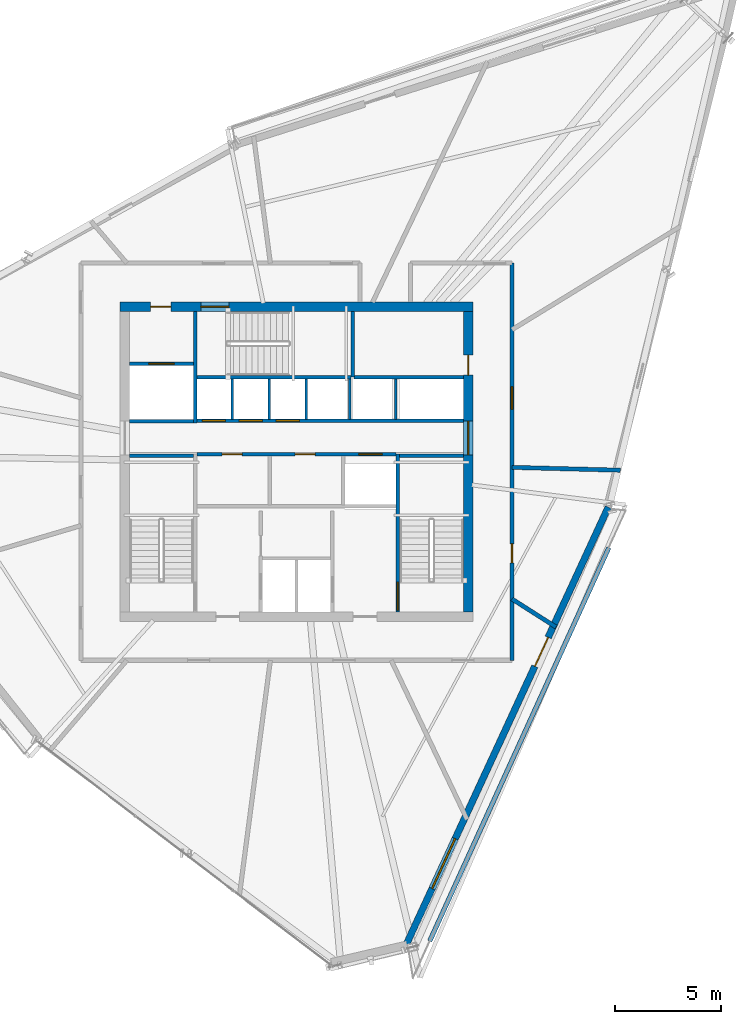
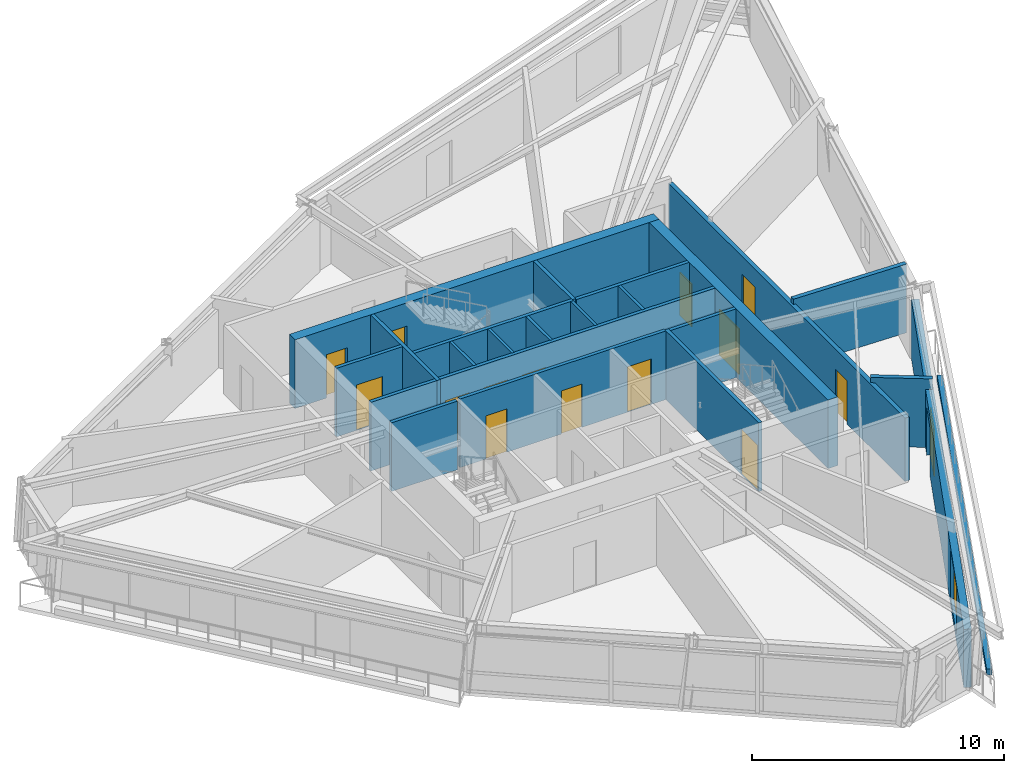
# One storey, part 9 of 13: 23 walls, 15 doors, 1 window, 16 openings.
"""IFC4 building model written with IfcOpenShell, lengths in metres."""

from ifc_helpers import new_model, si_unit, direction, frame, frame_2d, origin, place, context, subcontext, project, spatial, rectangle, extrude, source, transform, mapped, material, layer, layer_set, type_object, type_shapes, element, fill, save


model = new_model("IFC4")

# Units and contexts
model_context = context("Model", 3, precision=1e-05, world=origin(), true_north=direction((0.0, 1.0)))
body_context = subcontext(model_context, "Body", "Model", "MODEL_VIEW")
ifc_project = project(units=[si_unit("LENGTHUNIT", "METRE"), si_unit("AREAUNIT", "SQUARE_METRE"), si_unit("VOLUMEUNIT", "CUBIC_METRE"), si_unit("PLANEANGLEUNIT", "RADIAN"), si_unit("MASSUNIT", "GRAM", prefix="KILO")], contexts=[model_context])

# Site, building, storey
site_placement = place(None, origin())
site = spatial("IfcSite", under=ifc_project, at=site_placement, CompositionType="ELEMENT")
building_placement = place(site_placement, origin())
building = spatial("IfcBuilding", under=site, at=building_placement, Name="Olszyna Solenne Hotel", CompositionType="ELEMENT")
storey_placement = place(building_placement, frame((0.0, 0.0, 227.35009765625)))
storey = spatial("IfcBuildingStorey", under=building, at=storey_placement, Name="L60", CompositionType="ELEMENT", Elevation=227.35009765625)

# Wall, openings, doors
ifc_material_1 = material(Name="Concrete C50/60", Category="concrete")
ifc_layer_1 = layer(ifc_material_1, 0.449951171875, Name="Concrete C50/60")
ifc_layer_set_1 = layer_set([ifc_layer_1], Name="Concrete C50/60")
wall_type_1 = type_object("IfcWallType", Name="WL-CR450", PredefinedType="SHEAR", material=ifc_layer_set_1)
wall_1_placement = place(storey_placement, frame((29.64990234375, 33.925048828125, 0.0), z_axis=(0.0, 0.0, 1.0), x_axis=(1.0, 0.0, 0.0)))
wall_1 = element("IfcWall", 1, at=wall_1_placement, inside=storey, type_object=wall_type_1, Name="Core shear wall WL-CR450 CRW-L60-N", PredefinedType="SHEAR", context=body_context, shape_type="SweptSolid", body=[
    extrude(rectangle(XDim=16.7001953125, YDim=0.449951171875, at=frame_2d((8.35009765625, 0.0))), origin(), (0.0, 0.0, 1.0), 3.329833984375),
])
opening_1_placement = place(wall_1_placement, frame((1.449951171875, 0.0, 0.0)))
opening_1 = element("IfcOpeningElement", 2, at=opening_1_placement, cuts=wall_1, Name="Opening SVD-L60-01", PredefinedType="OPENING", context=body_context, shape_type="SweptSolid", body=[
    extrude(rectangle(XDim=0.949951171875, YDim=2.10009765625, at=frame_2d((0.47509765625, 1.050048828125))), frame((0.0, 0.23486328125, 0.0), z_axis=(0.0, -1.0, 0.0), x_axis=(1.0, 0.0, 0.0)), (0.0, 0.0, 1.0), 0.469970703125),
])
opening_2_placement = place(wall_1_placement, frame((3.830078125, 0.0, 0.0)))
opening_2 = element("IfcOpeningElement", 3, at=opening_2_placement, cuts=wall_1, Name="Opening STD-L60-03", PredefinedType="OPENING", context=body_context, shape_type="SweptSolid", body=[
    extrude(rectangle(XDim=1.320068359375, YDim=2.199951171875, at=frame_2d((0.66015625, 1.10009765625))), frame((0.0, 0.23486328125, 0.0), z_axis=(0.0, -1.0, 0.0), x_axis=(1.0, 0.0, 0.0)), (0.0, 0.0, 1.0), 0.469970703125),
])
ifc_material_2 = material(Name="Steel S355J2", Category="steel")
door_type_1 = type_object("IfcDoorType", Name="DR-ST1", OperationType="NOTDEFINED", PredefinedType="DOOR", material=ifc_material_2)
shared_shape_1 = source(origin(), body_context, "Body", "SweptSolid", [
    extrude(rectangle(XDim=1.320068359375, YDim=2.199951171875, at=frame_2d((0.66015625, 1.10009765625))), frame((0.0, 0.02490234375, 0.0), z_axis=(0.0, -1.0, 0.0), x_axis=(1.0, 0.0, 0.0)), (0.0, 0.0, 1.0), 0.050048828125),
])
type_shapes(door_type_1, [shared_shape_1])
door_1_placement = place(opening_2_placement, origin())
door_1 = element("IfcDoor", 4, at=door_1_placement, inside=storey, type_object=door_type_1, Name="Pressurised exit stair ST3 fire door STD-L60-03", OperationType="SINGLE_SWING_RIGHT", OverallHeight=2.199951171875, OverallWidth=1.320068359375, PredefinedType="DOOR", context=body_context, shape_type="MappedRepresentation", body=[
    mapped(shared_shape_1, transform((0.0, 0.0, 0.0), x_axis=(1.0, 0.0, 0.0), y_axis=(0.0, 1.0, 0.0), z_axis=(0.0, 0.0, 1.0), scale=1.0)),
])
fill(opening_2, door_1)
door_type_2 = type_object("IfcDoorType", Name="DR-SV1", OperationType="NOTDEFINED", PredefinedType="DOOR", material=ifc_material_2)
shared_shape_2 = source(origin(), body_context, "Body", "SweptSolid", [
    extrude(rectangle(XDim=0.949951171875, YDim=2.10009765625, at=frame_2d((0.47509765625, 1.050048828125))), frame((0.0, 0.02490234375, 0.0), z_axis=(0.0, -1.0, 0.0), x_axis=(1.0, 0.0, 0.0)), (0.0, 0.0, 1.0), 0.050048828125),
])
type_shapes(door_type_2, [shared_shape_2])
door_2_placement = place(opening_1_placement, origin())
door_2 = element("IfcDoor", 5, at=door_2_placement, inside=storey, type_object=door_type_2, Name="Service lift lobby fire door SVD-L60-01", OperationType="SINGLE_SWING_LEFT", OverallHeight=2.10009765625, OverallWidth=0.949951171875, PredefinedType="DOOR", context=body_context, shape_type="MappedRepresentation", body=[
    mapped(shared_shape_2, transform((0.0, 0.0, 0.0), x_axis=(1.0, 0.0, 0.0), y_axis=(0.0, 1.0, 0.0), z_axis=(0.0, 0.0, 1.0), scale=1.0)),
])
fill(opening_1, door_2)

wall_2_placement = place(storey_placement, frame((46.125, 33.699951171875, 0.0), z_axis=(0.0, 0.0, 1.0), x_axis=(0.0, -1.0, 0.0)))
wall_2 = element("IfcWall", 6, at=wall_2_placement, inside=storey, type_object=wall_type_1, Name="Core shear wall WL-CR450 CRW-L60-E", PredefinedType="SHEAR", context=body_context, shape_type="SweptSolid", body=[
    extrude(rectangle(XDim=14.199951171875, YDim=0.449951171875, at=frame_2d((7.10009765625, 0.0))), origin(), (0.0, 0.0, 1.0), 3.329833984375),
])
opening_3_placement = place(wall_2_placement, frame((5.179931640625, 0.0, 0.0)))
opening_3 = element("IfcOpeningElement", 7, at=opening_3_placement, cuts=wall_2, Name="Opening LHD-L60-E", PredefinedType="OPENING", context=body_context, shape_type="SweptSolid", body=[
    extrude(rectangle(XDim=1.60009765625, YDim=2.199951171875, at=frame_2d((0.800048828125, 1.10009765625))), frame((0.0, 0.23486328125, 0.0), z_axis=(0.0, -1.0, 0.0), x_axis=(1.0, 0.0, 0.0)), (0.0, 0.0, 1.0), 0.469970703125),
])
opening_4_placement = place(wall_2_placement, frame((2.050048828125, 0.0, 0.0)))
opening_4 = element("IfcOpeningElement", 8, at=opening_4_placement, cuts=wall_2, Name="Opening SVD-L60-BE", PredefinedType="OPENING", context=body_context, shape_type="SweptSolid", body=[
    extrude(rectangle(XDim=0.949951171875, YDim=2.10009765625, at=frame_2d((0.47509765625, 1.050048828125))), frame((0.0, 0.23486328125, 0.0), z_axis=(0.0, -1.0, 0.0), x_axis=(1.0, 0.0, 0.0)), (0.0, 0.0, 1.0), 0.469970703125),
])
door_3_placement = place(opening_4_placement, origin())
door_3 = element("IfcDoor", 9, at=door_3_placement, inside=storey, type_object=door_type_2, Name="Housekeeping core fire door SVD-L60-BE", OperationType="SINGLE_SWING_RIGHT", OverallHeight=2.10009765625, OverallWidth=0.949951171875, PredefinedType="DOOR", context=body_context, shape_type="MappedRepresentation", body=[
    mapped(shared_shape_2, transform((0.0, 0.0, 0.0), x_axis=(1.0, 0.0, 0.0), y_axis=(0.0, 1.0, 0.0), z_axis=(0.0, 0.0, 1.0), scale=1.0)),
])
fill(opening_4, door_3)
ifc_material_3 = material(Name="Timber hardwood", Category="wood")
door_type_3 = type_object("IfcDoorType", Name="DR-CR1", OperationType="DOUBLE_DOOR_SINGLE_SWING", PredefinedType="DOOR", material=ifc_material_3)
shared_shape_3 = source(origin(), body_context, "Body", "SweptSolid", [
    extrude(rectangle(XDim=1.60009765625, YDim=2.199951171875, at=frame_2d((0.800048828125, 1.10009765625))), frame((0.0, 0.02490234375, 0.0), z_axis=(0.0, -1.0, 0.0), x_axis=(1.0, 0.0, 0.0)), (0.0, 0.0, 1.0), 0.050048828125),
])
type_shapes(door_type_3, [shared_shape_3])
door_4_placement = place(opening_3_placement, origin())
door_4 = element("IfcDoor", 10, at=door_4_placement, inside=storey, type_object=door_type_3, Name="Passenger lift lobby East fire door LHD-L60-E", OperationType="DOUBLE_DOOR_SINGLE_SWING", OverallHeight=2.199951171875, OverallWidth=1.60009765625, PredefinedType="DOOR", context=body_context, shape_type="MappedRepresentation", body=[
    mapped(shared_shape_3, transform((0.0, 0.0, 0.0), x_axis=(1.0, 0.0, 0.0), y_axis=(0.0, 1.0, 0.0), z_axis=(0.0, 0.0, 1.0), scale=1.0)),
])
fill(opening_3, door_4)

# Wall, openings, door, window
ifc_material_4 = material(Name="Precast concrete C45/55", Category="concrete")
ifc_layer_2 = layer(ifc_material_4, 0.320068359375, Name="Precast concrete C45/55")
ifc_layer_set_2 = layer_set([ifc_layer_2], Name="Precast concrete C45/55")
wall_type_2 = type_object("IfcWallType", Name="WL-EX320", PredefinedType="SOLIDWALL", material=ifc_layer_set_2)
wall_3_placement = place(storey_placement, frame((52.760009765625, 24.45068359375, 0.0), z_axis=(0.0, 0.0, 1.0), x_axis=(-0.419378553641, -0.907811449997, 0.0)))
wall_3 = element("IfcWall", 11, at=wall_3_placement, inside=storey, type_object=wall_type_2, Name="Exterior terracotta-precast frame wall WL-EX320 EW-L60-01", PredefinedType="SOLIDWALL", context=body_context, shape_type="SweptSolid", body=[
    extrude(rectangle(XDim=22.952392578125, YDim=0.320068359375, at=frame_2d((11.47607421875, 0.0))), origin(), (0.0, 0.0, 1.0), 2.822021484375),
])
opening_5_placement = place(wall_3_placement, frame((6.794921875, 0.0, 0.0)))
opening_5 = element("IfcOpeningElement", 12, at=opening_5_placement, cuts=wall_3, Name="Opening LDG-L60-3", PredefinedType="OPENING", context=body_context, shape_type="SweptSolid", body=[
    extrude(rectangle(XDim=1.5, YDim=2.300048828125, at=frame_2d((0.75, 1.14990234375))), frame((0.0, 0.169921875, 0.0), z_axis=(0.0, -1.0, 0.0), x_axis=(1.0, 0.0, 0.0)), (0.0, 0.0, 1.0), 0.340087890625),
])
opening_6_placement = place(wall_3_placement, frame((17.284912109375, 0.0, 0.35205078125)))
opening_6 = element("IfcOpeningElement", 13, at=opening_6_placement, cuts=wall_3, Name="Opening WN-L60-388", PredefinedType="OPENING", context=body_context, shape_type="SweptSolid", body=[
    extrude(rectangle(XDim=2.60009765625, YDim=2.35009765625, at=frame_2d((1.300048828125, 1.175048828125))), frame((0.0, 0.169921875, 0.0), z_axis=(0.0, -1.0, 0.0), x_axis=(1.0, 0.0, 0.0)), (0.0, 0.0, 1.0), 0.340087890625),
])
ifc_material_5 = material(Name="Anodised bronze aluminium", Category="aluminium")
door_type_4 = type_object("IfcDoorType", Name="DR-LG2", OperationType="DOUBLE_DOOR_SINGLE_SWING", PredefinedType="DOOR", material=ifc_material_5)
shared_shape_4 = source(origin(), body_context, "Body", "SweptSolid", [
    extrude(rectangle(XDim=1.5, YDim=2.300048828125, at=frame_2d((0.75, 1.14990234375))), frame((0.0, 0.02490234375, 0.0), z_axis=(0.0, -1.0, 0.0), x_axis=(1.0, 0.0, 0.0)), (0.0, 0.0, 1.0), 0.050048828125),
])
type_shapes(door_type_4, [shared_shape_4])
door_5_placement = place(opening_5_placement, origin())
door_5 = element("IfcDoor", 14, at=door_5_placement, inside=storey, type_object=door_type_4, Name="Exterior loggia balcony door DR-LG2 LDG-L60-3", OperationType="DOUBLE_DOOR_SINGLE_SWING", OverallHeight=2.300048828125, OverallWidth=1.5, PredefinedType="DOOR", context=body_context, shape_type="MappedRepresentation", body=[
    mapped(shared_shape_4, transform((0.0, 0.0, 0.0), x_axis=(1.0, 0.0, 0.0), y_axis=(0.0, 1.0, 0.0), z_axis=(0.0, 0.0, 1.0), scale=1.0)),
])
fill(opening_5, door_5)
ifc_material_6 = material(Name="Low-E triple glazing", Category="glass")
window_type = type_object("IfcWindowType", Name="WN-ST1", PartitioningType="SINGLE_PANEL", PredefinedType="WINDOW", material=ifc_material_6)
shared_shape_5 = source(origin(), body_context, "Body", "SweptSolid", [
    extrude(rectangle(XDim=2.60009765625, YDim=2.35009765625, at=frame_2d((1.300048828125, 1.175048828125))), frame((0.0, 0.030029296875, 0.0), z_axis=(0.0, -1.0, 0.0), x_axis=(1.0, 0.0, 0.0)), (0.0, 0.0, 1.0), 0.06005859375),
])
type_shapes(window_type, [shared_shape_5])
window_placement = place(opening_6_placement, origin())
window = element("IfcWindow", 15, at=window_placement, inside=storey, type_object=window_type, Name="Loggia room window WN-ST1 WN-L60-388", OverallHeight=2.35009765625, OverallWidth=2.60009765625, PartitioningType="SINGLE_PANEL", PredefinedType="WINDOW", context=body_context, shape_type="MappedRepresentation", body=[
    mapped(shared_shape_5, transform((0.0, 0.0, 0.0), x_axis=(1.0, 0.0, 0.0), y_axis=(0.0, 1.0, 0.0), z_axis=(0.0, 0.0, 1.0), scale=1.0)),
])
fill(opening_6, window)

# Walls
ifc_layer_3 = layer(ifc_material_4, 0.219970703125, Name="Precast concrete C45/55")
ifc_layer_set_3 = layer_set([ifc_layer_3], Name="Precast concrete C45/55")
wall_type_3 = type_object("IfcWallType", Name="WL-PR220", PredefinedType="PARAPET", material=ifc_layer_set_3)
wall_4_placement = place(storey_placement, frame((44.3076171875, 3.918701171875, 0.0), z_axis=(0.0, 0.0, 1.0), x_axis=(0.41441444949, 0.910088272671, 0.0)))
element("IfcWall", 16, at=wall_4_placement, inside=storey, type_object=wall_type_3, Name="Loggia balcony precast kerb PR-L60-LG3", PredefinedType="PARAPET", context=body_context, shape_type="SweptSolid", body=[
    extrude(rectangle(XDim=20.451416015625, YDim=0.219970703125, at=frame_2d((10.2255859375, 0.0))), origin(), (0.0, 0.0, 1.0), 0.2998046875),
])
ifc_material_7 = material(Name="Acoustic gypsum partition", Category="gypsum")
ifc_layer_4 = layer(ifc_material_7, 0.125, Name="Acoustic gypsum partition")
ifc_layer_set_4 = layer_set([ifc_layer_4], Name="Acoustic gypsum partition")
wall_type_4 = type_object("IfcWallType", Name="WL-PT125", PredefinedType="PARTITIONING", material=ifc_layer_set_4)
for number, where, z_axis, x_axis, name in (
    (17, (34.965087890625, 28.60009765625, 0.0), (0.0, 0.0, 1.0), (0.0, 1.0, 0.0), "Core shaft compartment wall CW-L60-DIVN349"),
    (18, (36.715087890625, 28.60009765625, 0.0), (0.0, 0.0, 1.0), (0.0, 1.0, 0.0), "Core shaft compartment wall CW-L60-DIVN367"),
    (19, (38.465087890625, 28.60009765625, 0.0), (0.0, 0.0, 1.0), (0.0, 1.0, 0.0), "Core shaft compartment wall CW-L60-DIVN384"),
    (20, (40.52490234375, 28.60009765625, 0.0), (0.0, 0.0, 1.0), (0.0, 1.0, 0.0), "Core shaft compartment wall CW-L60-DIVEX405"),
    (21, (42.699951171875, 28.60009765625, 0.0), (0.0, 0.0, 1.0), (0.0, 1.0, 0.0), "Core shaft compartment wall CW-L60-DIVEX427"),
):
    element("IfcWall", number, at=place(storey_placement, frame(where, z_axis=z_axis, x_axis=x_axis)), inside=storey, type_object=wall_type_4, Name=name, PredefinedType="PARTITIONING", context=body_context, shape_type="SweptSolid", body=[
        extrude(rectangle(XDim=1.919921875, YDim=0.125, at=frame_2d((0.9599609375, 0.0))), origin(), (0.0, 0.0, 1.0), 3.329833984375),
    ])
ifc_layer_5 = layer(ifc_material_7, 0.159912109375, Name="Acoustic gypsum partition")
ifc_layer_set_5 = layer_set([ifc_layer_5], Name="Acoustic gypsum partition")
wall_type_5 = type_object("IfcWallType", Name="WL-PT160", PredefinedType="PARTITIONING", material=ifc_layer_set_5)
wall_5_placement = place(storey_placement, frame((30.10009765625, 26.8798828125, 0.0), z_axis=(0.0, 0.0, 1.0), x_axis=(1.0, 0.0, 0.0)))
element("IfcWall", 22, at=wall_5_placement, inside=storey, type_object=wall_type_5, Name="Core shaft compartment wall CW-L60-ST1N", PredefinedType="PARTITIONING", context=body_context, shape_type="SweptSolid", body=[
    extrude(rectangle(XDim=3.02001953125, YDim=0.159912109375, at=frame_2d((1.510009765625, 0.0))), origin(), (0.0, 0.0, 1.0), 3.329833984375),
])

# Wall, opening, door
wall_6_placement = place(storey_placement, frame((42.800048828125, 26.9599609375, 0.0), z_axis=(0.0, 0.0, 1.0), x_axis=(0.0, -1.0, 0.0)))
wall_6 = element("IfcWall", 23, at=wall_6_placement, inside=storey, type_object=wall_type_5, Name="Core shaft compartment wall CW-L60-ST2W", PredefinedType="PARTITIONING", context=body_context, shape_type="SweptSolid", body=[
    extrude(rectangle(XDim=7.4599609375, YDim=0.159912109375, at=frame_2d((3.72998046875, 0.0))), origin(), (0.0, 0.0, 1.0), 3.329833984375),
])
opening_7_placement = place(wall_6_placement, frame((6.06005859375, 0.0, 0.0)))
opening_7 = element("IfcOpeningElement", 24, at=opening_7_placement, cuts=wall_6, Name="Opening STD-L60-02", PredefinedType="OPENING", context=body_context, shape_type="SweptSolid", body=[
    extrude(rectangle(XDim=1.320068359375, YDim=2.199951171875, at=frame_2d((0.66015625, 1.10009765625))), frame((0.0, 0.08984375, 0.0), z_axis=(0.0, -1.0, 0.0), x_axis=(1.0, 0.0, 0.0)), (0.0, 0.0, 1.0), 0.179931640625),
])
door_6_placement = place(opening_7_placement, origin())
door_6 = element("IfcDoor", 25, at=door_6_placement, inside=storey, type_object=door_type_1, Name="Pressurised exit stair ST2 fire door STD-L60-02", OperationType="SINGLE_SWING_RIGHT", OverallHeight=2.199951171875, OverallWidth=1.320068359375, PredefinedType="DOOR", context=body_context, shape_type="MappedRepresentation", body=[
    mapped(shared_shape_1, transform((0.0, 0.0, 0.0), x_axis=(1.0, 0.0, 0.0), y_axis=(0.0, 1.0, 0.0), z_axis=(0.0, 0.0, 1.0), scale=1.0)),
])
fill(opening_7, door_6)

# Walls
wall_7_placement = place(storey_placement, frame((42.8798828125, 26.8798828125, 0.0), z_axis=(0.0, 0.0, 1.0), x_axis=(1.0, 0.0, 0.0)))
element("IfcWall", 26, at=wall_7_placement, inside=storey, type_object=wall_type_5, Name="Core shaft compartment wall CW-L60-ST2N", PredefinedType="PARTITIONING", context=body_context, shape_type="SweptSolid", body=[
    extrude(rectangle(XDim=3.02001953125, YDim=0.159912109375, at=frame_2d((1.510009765625, 0.0))), origin(), (0.0, 0.0, 1.0), 3.329833984375),
])
wall_8_placement = place(storey_placement, frame((33.280029296875, 30.60009765625, 0.0), z_axis=(0.0, 0.0, 1.0), x_axis=(1.0, 0.0, 0.0)))
element("IfcWall", 27, at=wall_8_placement, inside=storey, type_object=wall_type_5, Name="Core shaft compartment wall CW-L60-ST3S", PredefinedType="PARTITIONING", context=body_context, shape_type="SweptSolid", body=[
    extrude(rectangle(XDim=7.300048828125, YDim=0.159912109375, at=frame_2d((3.64990234375, 0.0))), origin(), (0.0, 0.0, 1.0), 3.329833984375),
])
wall_9_placement = place(storey_placement, frame((40.659912109375, 30.60009765625, 0.0), z_axis=(0.0, 0.0, 1.0), x_axis=(0.0, 1.0, 0.0)))
element("IfcWall", 28, at=wall_9_placement, inside=storey, type_object=wall_type_5, Name="Core shaft compartment wall CW-L60-ST3E", PredefinedType="PARTITIONING", context=body_context, shape_type="SweptSolid", body=[
    extrude(rectangle(XDim=3.099853515625, YDim=0.159912109375, at=frame_2d((1.5498046875, 0.0))), origin(), (0.0, 0.0, 1.0), 3.329833984375),
])
wall_10_placement = place(storey_placement, frame((30.10009765625, 28.52001953125, 0.0), z_axis=(0.0, 0.0, 1.0), x_axis=(1.0, 0.0, 0.0)))
element("IfcWall", 29, at=wall_10_placement, inside=storey, type_object=wall_type_5, Name="Core shaft compartment wall CW-L60-SV1S", PredefinedType="PARTITIONING", context=body_context, shape_type="SweptSolid", body=[
    extrude(rectangle(XDim=3.02001953125, YDim=0.159912109375, at=frame_2d((1.510009765625, 0.0))), origin(), (0.0, 0.0, 1.0), 3.329833984375),
])
wall_11_placement = place(storey_placement, frame((33.199951171875, 28.43994140625, 0.0), z_axis=(0.0, 0.0, 1.0), x_axis=(0.0, 1.0, 0.0)))
element("IfcWall", 30, at=wall_11_placement, inside=storey, type_object=wall_type_5, Name="Core shaft compartment wall CW-L60-SV1E", PredefinedType="PARTITIONING", context=body_context, shape_type="SweptSolid", body=[
    extrude(rectangle(XDim=5.260009765625, YDim=0.159912109375, at=frame_2d((2.6298828125, 0.0))), origin(), (0.0, 0.0, 1.0), 3.329833984375),
])

# Wall, opening, door
wall_12_placement = place(storey_placement, frame((30.10009765625, 31.239990234375, 0.0), z_axis=(0.0, 0.0, 1.0), x_axis=(1.0, 0.0, 0.0)))
wall_12 = element("IfcWall", 31, at=wall_12_placement, inside=storey, type_object=wall_type_5, Name="Core shaft compartment wall CW-L60-SV1N", PredefinedType="PARTITIONING", context=body_context, shape_type="SweptSolid", body=[
    extrude(rectangle(XDim=3.02001953125, YDim=0.159912109375, at=frame_2d((1.510009765625, 0.0))), origin(), (0.0, 0.0, 1.0), 3.329833984375),
])
opening_8_placement = place(wall_12_placement, frame((0.909912109375, 0.0, 0.0)))
opening_8 = element("IfcOpeningElement", 32, at=opening_8_placement, cuts=wall_12, Name="Opening LD-L60-SV1", PredefinedType="OPENING", context=body_context, shape_type="SweptSolid", body=[
    extrude(rectangle(XDim=1.199951171875, YDim=2.199951171875, at=frame_2d((0.60009765625, 1.10009765625))), frame((0.0, 0.08984375, 0.0), z_axis=(0.0, -1.0, 0.0), x_axis=(1.0, 0.0, 0.0)), (0.0, 0.0, 1.0), 0.179931640625),
])
door_type_5 = type_object("IfcDoorType", Name="LD-FF1", OperationType="DOUBLE_DOOR_SLIDING", PredefinedType="DOOR", material=ifc_material_2)
shared_shape_6 = source(origin(), body_context, "Body", "SweptSolid", [
    extrude(rectangle(XDim=1.199951171875, YDim=2.199951171875, at=frame_2d((0.60009765625, 1.10009765625))), frame((0.0, 0.02490234375, 0.0), z_axis=(0.0, -1.0, 0.0), x_axis=(1.0, 0.0, 0.0)), (0.0, 0.0, 1.0), 0.050048828125),
])
type_shapes(door_type_5, [shared_shape_6])
door_7_placement = place(opening_8_placement, origin())
door_7 = element("IfcDoor", 33, at=door_7_placement, inside=storey, type_object=door_type_5, Name="Service lift SV1 sliding landing door LD-L60-SV1", OperationType="DOUBLE_DOOR_SLIDING", OverallHeight=2.199951171875, OverallWidth=1.199951171875, PredefinedType="DOOR", context=body_context, shape_type="MappedRepresentation", body=[
    mapped(shared_shape_6, transform((0.0, 0.0, 0.0), x_axis=(1.0, 0.0, 0.0), y_axis=(0.0, 1.0, 0.0), z_axis=(0.0, 0.0, 1.0), scale=1.0)),
])
fill(opening_8, door_7)

# Wall, openings, doors
wall_13_placement = place(storey_placement, frame((33.280029296875, 26.949951171875, 0.0), z_axis=(0.0, 0.0, 1.0), x_axis=(1.0, 0.0, 0.0)))
wall_13 = element("IfcWall", 34, at=wall_13_placement, inside=storey, type_object=wall_type_5, Name="Core shaft compartment wall CW-L60-LRS", PredefinedType="PARTITIONING", context=body_context, shape_type="SweptSolid", body=[
    extrude(rectangle(XDim=9.43994140625, YDim=0.159912109375, at=frame_2d((4.719970703125, 0.0))), origin(), (0.0, 0.0, 1.0), 3.329833984375),
])
opening_9_placement = place(wall_13_placement, frame((1.199951171875, 0.0, 0.0)))
opening_9 = element("IfcOpeningElement", 35, at=opening_9_placement, cuts=wall_13, Name="Opening SVD-L60-L71", PredefinedType="OPENING", context=body_context, shape_type="SweptSolid", body=[
    extrude(rectangle(XDim=0.949951171875, YDim=2.10009765625, at=frame_2d((0.47509765625, 1.050048828125))), frame((0.0, 0.08984375, 0.0), z_axis=(0.0, -1.0, 0.0), x_axis=(1.0, 0.0, 0.0)), (0.0, 0.0, 1.0), 0.179931640625),
])
opening_10_placement = place(wall_13_placement, frame((4.64990234375, 0.0, 0.0)))
opening_10 = element("IfcOpeningElement", 36, at=opening_10_placement, cuts=wall_13, Name="Opening SVD-L60-L72", PredefinedType="OPENING", context=body_context, shape_type="SweptSolid", body=[
    extrude(rectangle(XDim=0.949951171875, YDim=2.10009765625, at=frame_2d((0.47509765625, 1.050048828125))), frame((0.0, 0.08984375, 0.0), z_axis=(0.0, -1.0, 0.0), x_axis=(1.0, 0.0, 0.0)), (0.0, 0.0, 1.0), 0.179931640625),
])
opening_11_placement = place(wall_13_placement, frame((7.669921875, 0.0, 0.0)))
opening_11 = element("IfcOpeningElement", 37, at=opening_11_placement, cuts=wall_13, Name="Opening LD-L60-PL5", PredefinedType="OPENING", context=body_context, shape_type="SweptSolid", body=[
    extrude(rectangle(XDim=1.10009765625, YDim=2.199951171875, at=frame_2d((0.550048828125, 1.10009765625))), frame((0.0, 0.08984375, 0.0), z_axis=(0.0, -1.0, 0.0), x_axis=(1.0, 0.0, 0.0)), (0.0, 0.0, 1.0), 0.179931640625),
])
door_8_placement = place(opening_9_placement, origin())
door_8 = element("IfcDoor", 38, at=door_8_placement, inside=storey, type_object=door_type_2, Name="Recaptured core room fire door SVD-L60-L71", OperationType="SINGLE_SWING_LEFT", OverallHeight=2.10009765625, OverallWidth=0.949951171875, PredefinedType="DOOR", context=body_context, shape_type="MappedRepresentation", body=[
    mapped(shared_shape_2, transform((0.0, 0.0, 0.0), x_axis=(1.0, 0.0, 0.0), y_axis=(0.0, 1.0, 0.0), z_axis=(0.0, 0.0, 1.0), scale=1.0)),
])
fill(opening_9, door_8)
door_9_placement = place(opening_10_placement, origin())
door_9 = element("IfcDoor", 39, at=door_9_placement, inside=storey, type_object=door_type_2, Name="Recaptured core room fire door SVD-L60-L72", OperationType="SINGLE_SWING_RIGHT", OverallHeight=2.10009765625, OverallWidth=0.949951171875, PredefinedType="DOOR", context=body_context, shape_type="MappedRepresentation", body=[
    mapped(shared_shape_2, transform((0.0, 0.0, 0.0), x_axis=(1.0, 0.0, 0.0), y_axis=(0.0, 1.0, 0.0), z_axis=(0.0, 0.0, 1.0), scale=1.0)),
])
fill(opening_10, door_9)
door_type_6 = type_object("IfcDoorType", Name="LD-P1", OperationType="DOUBLE_DOOR_SLIDING", PredefinedType="DOOR", material=ifc_material_2)
shared_shape_7 = source(origin(), body_context, "Body", "SweptSolid", [
    extrude(rectangle(XDim=1.10009765625, YDim=2.199951171875, at=frame_2d((0.550048828125, 1.10009765625))), frame((0.0, 0.02490234375, 0.0), z_axis=(0.0, -1.0, 0.0), x_axis=(1.0, 0.0, 0.0)), (0.0, 0.0, 1.0), 0.050048828125),
])
type_shapes(door_type_6, [shared_shape_7])
door_10_placement = place(opening_11_placement, origin())
door_10 = element("IfcDoor", 40, at=door_10_placement, inside=storey, type_object=door_type_6, Name="Passenger lift PL5 sliding landing door LD-L60-PL5", OperationType="DOUBLE_DOOR_SLIDING", OverallHeight=2.199951171875, OverallWidth=1.10009765625, PredefinedType="DOOR", context=body_context, shape_type="MappedRepresentation", body=[
    mapped(shared_shape_7, transform((0.0, 0.0, 0.0), x_axis=(1.0, 0.0, 0.0), y_axis=(0.0, 1.0, 0.0), z_axis=(0.0, 0.0, 1.0), scale=1.0)),
])
fill(opening_11, door_10)

wall_14_placement = place(storey_placement, frame((33.280029296875, 28.5400390625, 0.0), z_axis=(0.0, 0.0, 1.0), x_axis=(1.0, 0.0, 0.0)))
wall_14 = element("IfcWall", 41, at=wall_14_placement, inside=storey, type_object=wall_type_5, Name="Core shaft compartment wall CW-L60-LRN", PredefinedType="PARTITIONING", context=body_context, shape_type="SweptSolid", body=[
    extrude(rectangle(XDim=12.619873046875, YDim=0.159912109375, at=frame_2d((6.31005859375, 0.0))), origin(), (0.0, 0.0, 1.0), 3.329833984375),
])
opening_12_placement = place(wall_14_placement, frame((0.260009765625, 0.0, 0.0)))
opening_12 = element("IfcOpeningElement", 42, at=opening_12_placement, cuts=wall_14, Name="Opening LD-L60-PL6", PredefinedType="OPENING", context=body_context, shape_type="SweptSolid", body=[
    extrude(rectangle(XDim=1.10009765625, YDim=2.199951171875, at=frame_2d((0.550048828125, 1.10009765625))), frame((0.0, 0.08984375, 0.0), z_axis=(0.0, -1.0, 0.0), x_axis=(1.0, 0.0, 0.0)), (0.0, 0.0, 1.0), 0.179931640625),
])
opening_13_placement = place(wall_14_placement, frame((2.010009765625, 0.0, 0.0)))
opening_13 = element("IfcOpeningElement", 43, at=opening_13_placement, cuts=wall_14, Name="Opening LD-L60-PL7", PredefinedType="OPENING", context=body_context, shape_type="SweptSolid", body=[
    extrude(rectangle(XDim=1.10009765625, YDim=2.199951171875, at=frame_2d((0.550048828125, 1.10009765625))), frame((0.0, 0.08984375, 0.0), z_axis=(0.0, -1.0, 0.0), x_axis=(1.0, 0.0, 0.0)), (0.0, 0.0, 1.0), 0.179931640625),
])
opening_14_placement = place(wall_14_placement, frame((3.760009765625, 0.0, 0.0)))
opening_14 = element("IfcOpeningElement", 44, at=opening_14_placement, cuts=wall_14, Name="Opening LD-L60-PL8", PredefinedType="OPENING", context=body_context, shape_type="SweptSolid", body=[
    extrude(rectangle(XDim=1.10009765625, YDim=2.199951171875, at=frame_2d((0.550048828125, 1.10009765625))), frame((0.0, 0.08984375, 0.0), z_axis=(0.0, -1.0, 0.0), x_axis=(1.0, 0.0, 0.0)), (0.0, 0.0, 1.0), 0.179931640625),
])
door_11_placement = place(opening_12_placement, origin())
door_11 = element("IfcDoor", 45, at=door_11_placement, inside=storey, type_object=door_type_6, Name="Passenger lift PL6 sliding landing door LD-L60-PL6", OperationType="DOUBLE_DOOR_SLIDING", OverallHeight=2.199951171875, OverallWidth=1.10009765625, PredefinedType="DOOR", context=body_context, shape_type="MappedRepresentation", body=[
    mapped(shared_shape_7, transform((0.0, 0.0, 0.0), x_axis=(1.0, 0.0, 0.0), y_axis=(0.0, 1.0, 0.0), z_axis=(0.0, 0.0, 1.0), scale=1.0)),
])
fill(opening_12, door_11)
door_12_placement = place(opening_13_placement, origin())
door_12 = element("IfcDoor", 46, at=door_12_placement, inside=storey, type_object=door_type_6, Name="Passenger lift PL7 sliding landing door LD-L60-PL7", OperationType="DOUBLE_DOOR_SLIDING", OverallHeight=2.199951171875, OverallWidth=1.10009765625, PredefinedType="DOOR", context=body_context, shape_type="MappedRepresentation", body=[
    mapped(shared_shape_7, transform((0.0, 0.0, 0.0), x_axis=(1.0, 0.0, 0.0), y_axis=(0.0, 1.0, 0.0), z_axis=(0.0, 0.0, 1.0), scale=1.0)),
])
fill(opening_13, door_12)
door_13_placement = place(opening_14_placement, origin())
door_13 = element("IfcDoor", 47, at=door_13_placement, inside=storey, type_object=door_type_6, Name="Passenger lift PL8 sliding landing door LD-L60-PL8", OperationType="DOUBLE_DOOR_SLIDING", OverallHeight=2.199951171875, OverallWidth=1.10009765625, PredefinedType="DOOR", context=body_context, shape_type="MappedRepresentation", body=[
    mapped(shared_shape_7, transform((0.0, 0.0, 0.0), x_axis=(1.0, 0.0, 0.0), y_axis=(0.0, 1.0, 0.0), z_axis=(0.0, 0.0, 1.0), scale=1.0)),
])
fill(opening_14, door_13)

# Walls
wall_15_placement = place(storey_placement, frame((40.719970703125, 30.60009765625, 0.0), z_axis=(0.0, 0.0, 1.0), x_axis=(1.0, 0.0, 0.0)))
element("IfcWall", 48, at=wall_15_placement, inside=storey, type_object=wall_type_5, Name="Core shaft compartment wall CW-L60-LRNTOP", PredefinedType="PARTITIONING", context=body_context, shape_type="SweptSolid", body=[
    extrude(rectangle(XDim=5.179931640625, YDim=0.159912109375, at=frame_2d((2.58984375, 0.0))), origin(), (0.0, 0.0, 1.0), 3.329833984375),
])
ifc_layer_6 = layer(ifc_material_7, 0.199951171875, Name="Acoustic gypsum partition")
ifc_layer_set_6 = layer_set([ifc_layer_6], Name="Acoustic gypsum partition")
wall_type_6 = type_object("IfcWallType", Name="WL-PT200", PredefinedType="PARTITIONING", material=ifc_layer_set_6)
wall_16_placement = place(storey_placement, frame((48.199951171875, 26.3330078125, 0.0), z_axis=(0.0, 0.0, 1.0), x_axis=(0.999656781233, -0.026197704754, 0.0)))
element("IfcWall", 49, at=wall_16_placement, inside=storey, type_object=wall_type_6, Name="Interior acoustic partition WL-PT200 PW-L60-3321", PredefinedType="PARTITIONING", context=body_context, shape_type="SweptSolid", body=[
    extrude(rectangle(XDim=5.12548828125, YDim=0.199951171875, at=frame_2d((2.562744140625, 0.0))), origin(), (0.0, 0.0, 1.0), 3.329833984375),
])
wall_17_placement = place(storey_placement, frame((48.199951171875, 20.101806640625, 0.0), z_axis=(0.0, 0.0, 1.0), x_axis=(0.843376251706, -0.537323457573, 0.0)))
element("IfcWall", 50, at=wall_17_placement, inside=storey, type_object=wall_type_6, Name="Interior acoustic partition WL-PT200 PW-L60-3331", PredefinedType="PARTITIONING", context=body_context, shape_type="SweptSolid", body=[
    extrude(rectangle(XDim=2.468017578125, YDim=0.199951171875, at=frame_2d((1.23388671875, 0.0))), origin(), (0.0, 0.0, 1.0), 3.329833984375),
])

# Wall, openings, doors
wall_18_placement = place(storey_placement, frame((48.199951171875, 17.199951171875, 0.0), z_axis=(0.0, 0.0, 1.0), x_axis=(0.0, 1.0, 0.0)))
wall_18 = element("IfcWall", 51, at=wall_18_placement, inside=storey, type_object=wall_type_6, Name="Interior acoustic partition WL-PT200 PW-L60-3338", PredefinedType="PARTITIONING", context=body_context, shape_type="SweptSolid", body=[
    extrude(rectangle(XDim=18.800048828125, YDim=0.199951171875, at=frame_2d((9.39990234375, 0.0))), origin(), (0.0, 0.0, 1.0), 3.074951171875),
])
opening_15_placement = place(wall_18_placement, frame((11.89599609375, 0.0, 0.0)))
opening_15 = element("IfcOpeningElement", 52, at=opening_15_placement, cuts=wall_18, Name="Opening DR-L60-0817", PredefinedType="OPENING", context=body_context, shape_type="SweptSolid", body=[
    extrude(rectangle(XDim=1.050048828125, YDim=2.199951171875, at=frame_2d((0.52490234375, 1.10009765625))), frame((0.0, 0.10986328125, 0.0), z_axis=(0.0, -1.0, 0.0), x_axis=(1.0, 0.0, 0.0)), (0.0, 0.0, 1.0), 0.219970703125),
])
opening_16_placement = place(wall_18_placement, frame((4.616943359375, 0.0, 0.0)))
opening_16 = element("IfcOpeningElement", 53, at=opening_16_placement, cuts=wall_18, Name="Opening DR-L60-0818", PredefinedType="OPENING", context=body_context, shape_type="SweptSolid", body=[
    extrude(rectangle(XDim=0.89990234375, YDim=2.10009765625, at=frame_2d((0.449951171875, 1.050048828125))), frame((0.0, 0.10986328125, 0.0), z_axis=(0.0, -1.0, 0.0), x_axis=(1.0, 0.0, 0.0)), (0.0, 0.0, 1.0), 0.219970703125),
])
door_type_7 = type_object("IfcDoorType", Name="DR-WC1", OperationType="NOTDEFINED", PredefinedType="DOOR", material=ifc_material_3)
shared_shape_8 = source(origin(), body_context, "Body", "SweptSolid", [
    extrude(rectangle(XDim=0.89990234375, YDim=2.10009765625, at=frame_2d((0.449951171875, 1.050048828125))), frame((0.0, 0.02490234375, 0.0), z_axis=(0.0, -1.0, 0.0), x_axis=(1.0, 0.0, 0.0)), (0.0, 0.0, 1.0), 0.050048828125),
])
type_shapes(door_type_7, [shared_shape_8])
door_14_placement = place(opening_16_placement, origin())
door_14 = element("IfcDoor", 54, at=door_14_placement, inside=storey, type_object=door_type_7, Name="Accessible Public WC Entrance Door DR-L60-0818", OperationType="SINGLE_SWING_LEFT", OverallHeight=2.10009765625, OverallWidth=0.89990234375, PredefinedType="DOOR", context=body_context, shape_type="MappedRepresentation", body=[
    mapped(shared_shape_8, transform((0.0, 0.0, 0.0), x_axis=(1.0, 0.0, 0.0), y_axis=(0.0, 1.0, 0.0), z_axis=(0.0, 0.0, 1.0), scale=1.0)),
])
fill(opening_16, door_14)
door_type_8 = type_object("IfcDoorType", Name="DR-RM2", OperationType="NOTDEFINED", PredefinedType="DOOR", material=ifc_material_3)
shared_shape_9 = source(origin(), body_context, "Body", "SweptSolid", [
    extrude(rectangle(XDim=1.050048828125, YDim=2.199951171875, at=frame_2d((0.52490234375, 1.10009765625))), frame((0.0, 0.02490234375, 0.0), z_axis=(0.0, -1.0, 0.0), x_axis=(1.0, 0.0, 0.0)), (0.0, 0.0, 1.0), 0.050048828125),
])
type_shapes(door_type_8, [shared_shape_9])
door_15_placement = place(opening_15_placement, origin())
door_15 = element("IfcDoor", 55, at=door_15_placement, inside=storey, type_object=door_type_8, Name="Private Business Office Entrance Door DR-L60-0817", OperationType="SINGLE_SWING_LEFT", OverallHeight=2.199951171875, OverallWidth=1.050048828125, PredefinedType="DOOR", context=body_context, shape_type="MappedRepresentation", body=[
    mapped(shared_shape_9, transform((0.0, 0.0, 0.0), x_axis=(1.0, 0.0, 0.0), y_axis=(0.0, 1.0, 0.0), z_axis=(0.0, 0.0, 1.0), scale=1.0)),
])
fill(opening_15, door_15)

save(model, "model.ifc")
